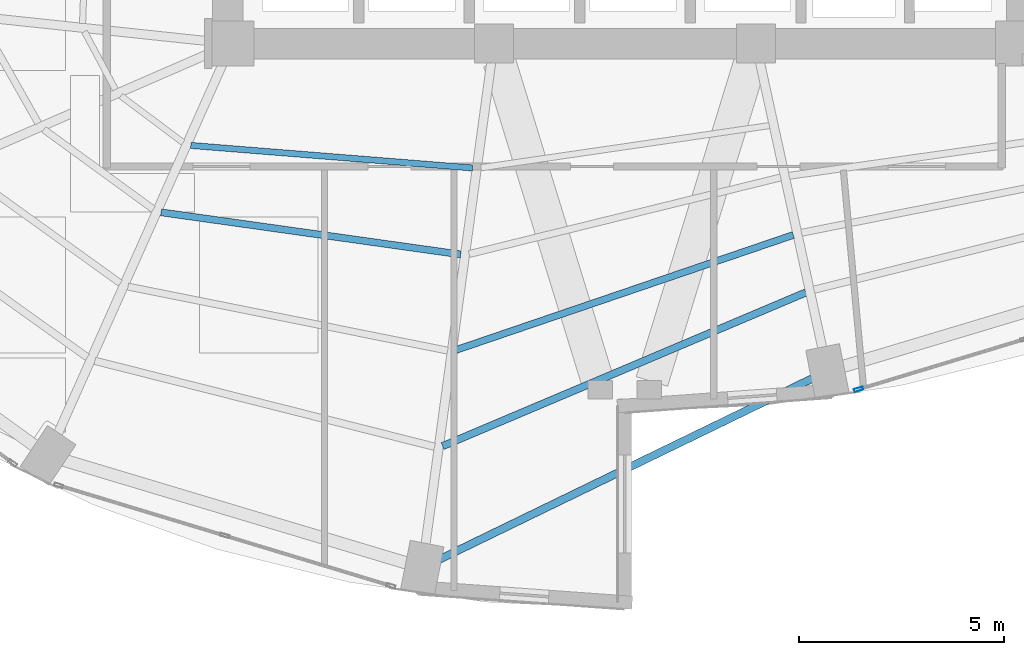
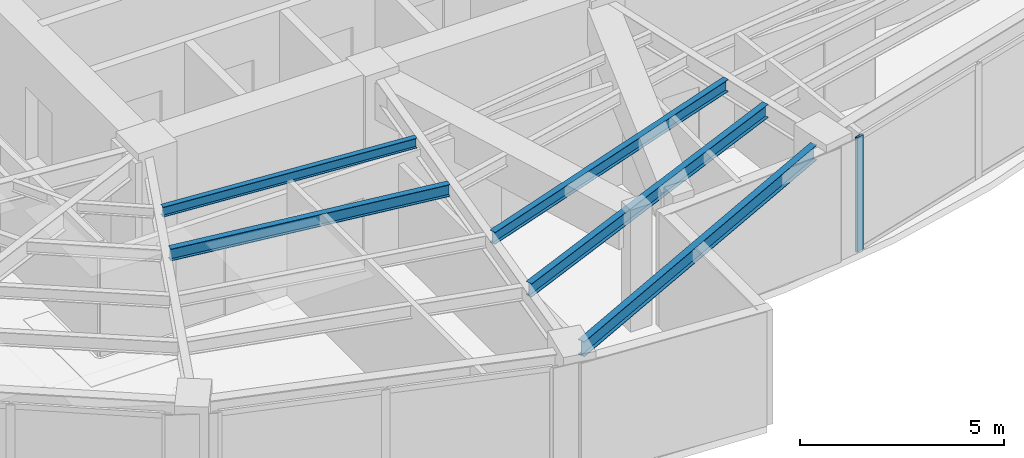
# One storey, part 6 of 24: 5 beams, 1 member, 1 element without a shape of its own.
"""IFC4 building model written with IfcOpenShell, lengths in metres."""

from ifc_helpers import new_model, si_unit, direction, frame, origin, origin_2d, place, context, subcontext, project, spatial, hollow_rectangle, i_section, extrude, material, layer, layer_set, material_profile, profile_set, type_object, element, aggregate, save


model = new_model("IFC4")

# Units and contexts
model_context = context("Model", 3, precision=1e-05, world=origin(), true_north=direction((0.0, 1.0)))
body_context = subcontext(model_context, "Body", "Model", "MODEL_VIEW")
ifc_project = project(units=[si_unit("LENGTHUNIT", "METRE"), si_unit("AREAUNIT", "SQUARE_METRE"), si_unit("VOLUMEUNIT", "CUBIC_METRE"), si_unit("PLANEANGLEUNIT", "RADIAN"), si_unit("MASSUNIT", "GRAM", prefix="KILO")], contexts=[model_context])

# Site, building, storey
site_placement = place(None, origin())
site = spatial("IfcSite", under=ifc_project, at=site_placement, CompositionType="ELEMENT")
building_placement = place(site_placement, origin())
building = spatial("IfcBuilding", under=site, at=building_placement, Name="Lazwardi Medical Tower", CompositionType="ELEMENT")
storey_placement = place(building_placement, frame((0.0, 0.0, 114.575927734375)))
storey = spatial("IfcBuildingStorey", under=building, at=storey_placement, Name="L29", CompositionType="ELEMENT", Elevation=114.575927734375)

# Beams
ifc_material_1 = material(Name="Steel S355", Category="steel")
ifc_material_profile_1 = material_profile(ifc_material_1, i_section(OverallWidth=0.179931640625, OverallDepth=0.39990234375, WebThickness=0.008544921875, FlangeThickness=0.013427734375, at=origin_2d()), Name="IPE 400")
ifc_profile_set_1 = profile_set([ifc_material_profile_1], Name="Steel S355")
beam_type_1 = type_object("IfcBeamType", Name="BM-SJ-01", PredefinedType="JOIST", material=ifc_profile_set_1)
beam_1_placement = place(storey_placement, frame((31.550537109375, 10.571533203125, 3.22802734375), z_axis=(0.920947307957, 0.389687125739, 0.0), x_axis=(-0.389687125739, 0.920947307957, 0.0)))
element("IfcBeam", 1, at=beam_1_placement, inside=storey, type_object=beam_type_1, Name="Secondary joist SJ-01 R1 B16 L29", PredefinedType="JOIST", context=body_context, shape_type="SweptSolid", body=[
    extrude(i_section(OverallWidth=0.179931640625, OverallDepth=0.39990234375, WebThickness=0.008544921875, FlangeThickness=0.013427734375, at=origin_2d()), origin(), (0.0, 0.0, 1.0), 9.63134765625),
])
ifc_material_profile_2 = material_profile(ifc_material_1, i_section(OverallWidth=0.169921875, OverallDepth=0.360107421875, WebThickness=0.008056640625, FlangeThickness=0.0126953125, at=origin_2d()), Name="IPE 360")
ifc_profile_set_2 = profile_set([ifc_material_profile_2], Name="Steel S355")
beam_type_2 = type_object("IfcBeamType", Name="BM-SJ-02", PredefinedType="JOIST", material=ifc_profile_set_2)
beam_2_placement = place(storey_placement, frame((31.874267578125, 12.91796875, 3.248046875), z_axis=(0.946467154368, 0.322800132749, 0.0), x_axis=(-0.322800132749, 0.946467154368, 0.0)))
element("IfcBeam", 2, at=beam_2_placement, inside=storey, type_object=beam_type_2, Name="Secondary joist SJ-02 R2 B16 L29", PredefinedType="JOIST", context=body_context, shape_type="SweptSolid", body=[
    extrude(i_section(OverallWidth=0.169921875, OverallDepth=0.360107421875, WebThickness=0.008056640625, FlangeThickness=0.0126953125, at=origin_2d()), origin(), (0.0, 0.0, 1.0), 8.70458984375),
])
beam_3_placement = place(storey_placement, frame((24.67431640625, 16.281005859375, 3.248046875), z_axis=(0.990260920731, -0.139223952222, 0.0), x_axis=(0.139223952222, 0.990260920731, 0.0)))
element("IfcBeam", 3, at=beam_3_placement, inside=storey, type_object=beam_type_2, Name="Secondary joist SJ-02 R3 B15 L29", PredefinedType="JOIST", context=body_context, shape_type="SweptSolid", body=[
    extrude(i_section(OverallWidth=0.169921875, OverallDepth=0.360107421875, WebThickness=0.008056640625, FlangeThickness=0.0126953125, at=origin_2d()), origin(), (0.0, 0.0, 1.0), 7.3896484375),
])
ifc_material_profile_3 = material_profile(ifc_material_1, i_section(OverallWidth=0.14990234375, OverallDepth=0.300048828125, WebThickness=0.007080078125, FlangeThickness=0.0107421875, at=origin_2d()), Name="IPE 300")
ifc_profile_set_3 = profile_set([ifc_material_profile_3], Name="Steel S355")
beam_type_3 = type_object("IfcBeamType", Name="BM-SJ-03", PredefinedType="JOIST", material=ifc_profile_set_3)
beam_4_placement = place(storey_placement, frame((25.400390625, 17.914306640625, 3.278076171875), z_axis=(0.996816178299, -0.079733974445, 0.0), x_axis=(0.079733974445, 0.996816178299, 0.0)))
element("IfcBeam", 4, at=beam_4_placement, inside=storey, type_object=beam_type_3, Name="Secondary joist SJ-03 R4 B15 L29", PredefinedType="JOIST", context=body_context, shape_type="SweptSolid", body=[
    extrude(i_section(OverallWidth=0.14990234375, OverallDepth=0.300048828125, WebThickness=0.007080078125, FlangeThickness=0.0107421875, at=origin_2d()), origin(), (0.0, 0.0, 1.0), 6.901611328125),
])
ifc_material_profile_4 = material_profile(ifc_material_1, i_section(OverallWidth=0.18994140625, OverallDepth=0.449951171875, WebThickness=0.009521484375, FlangeThickness=0.0146484375, at=origin_2d()), Name="IPE 450")
ifc_profile_set_4 = profile_set([ifc_material_profile_4], Name="Steel S355")
beam_type_4 = type_object("IfcBeamType", Name="BM-SP-01", PredefinedType="SPANDREL", material=ifc_profile_set_4)
beam_5_placement = place(storey_placement, frame((31.42333984375, 7.781494140625, 3.203125), z_axis=(0.899653336227, 0.436604941125, 0.0), x_axis=(-0.436604941125, 0.899653336227, 0.0)))
element("IfcBeam", 5, at=beam_5_placement, inside=storey, type_object=beam_type_4, Name="Spandrel beam SP-01 B16 L29", PredefinedType="SPANDREL", context=body_context, shape_type="SweptSolid", body=[
    extrude(i_section(OverallWidth=0.18994140625, OverallDepth=0.449951171875, WebThickness=0.009521484375, FlangeThickness=0.0146484375, at=origin_2d()), origin(), (0.0, 0.0, 1.0), 10.17431640625),
])

# Curtain wall, member
ifc_material_2 = material(Name="Anodised bronze aluminium and solar control glazing", Category="aluminium")
ifc_layer = layer(ifc_material_2, 0.195068359375)
ifc_layer_set = layer_set([ifc_layer], Name="Anodised bronze aluminium and solar control glazing")
curtain_wall_type = type_object("IfcCurtainWallType", Name="CW-SYS-03", PredefinedType="NOTDEFINED", material=ifc_layer_set)
curtain_wall_placement = place(storey_placement, origin())
curtain_wall = element("IfcCurtainWall", 6, at=curtain_wall_placement, inside=storey, type_object=curtain_wall_type, Name="L29 Unitised bronze curtain wall CW-03", PredefinedType="NOTDEFINED")
ifc_material_3 = material(Name="Anodised bronze aluminium", Category="aluminium")
ifc_material_profile_5 = material_profile(ifc_material_3, hollow_rectangle(XDim=0.074951171875, YDim=0.219970703125, WallThickness=0.00390625, at=origin_2d()), Name="ALU-MULLION 220x75x4")
ifc_profile_set_5 = profile_set([ifc_material_profile_5], Name="Anodised bronze aluminium")
member_type = type_object("IfcMemberType", Name="CW-MUL-01", PredefinedType="MULLION", material=ifc_profile_set_5)
member_placement = place(storey_placement, frame((41.710205078125, 11.9599609375, 0.0), z_axis=(0.0, 0.0, 1.0), x_axis=(-0.28937381157, 0.957216170558, 0.0)))
member = element("IfcMember", 7, at=member_placement, type_object=member_type, Name="CW-03 mullion 1", PredefinedType="MULLION", context=body_context, shape_type="SweptSolid", body=[
    extrude(hollow_rectangle(XDim=0.074951171875, YDim=0.219970703125, WallThickness=0.00390625, at=origin_2d()), origin(), (0.0, 0.0, 1.0), 3.427978515625),
])
aggregate(curtain_wall, [member])

save(model, "model.ifc")
